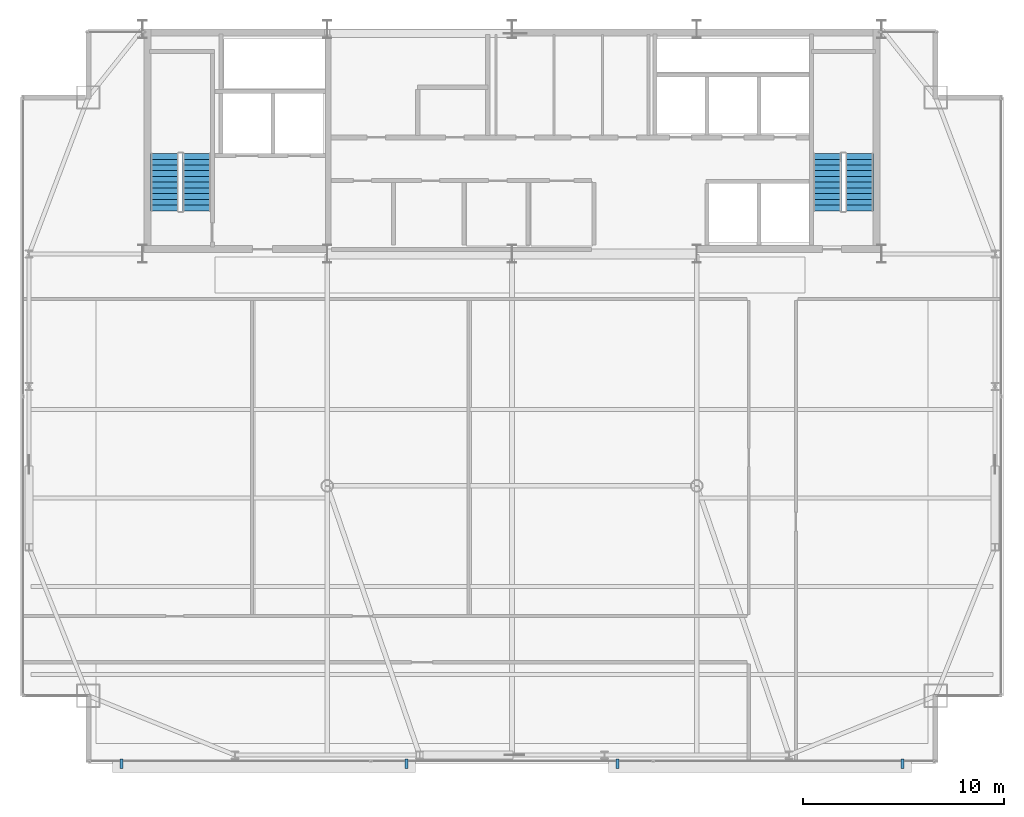
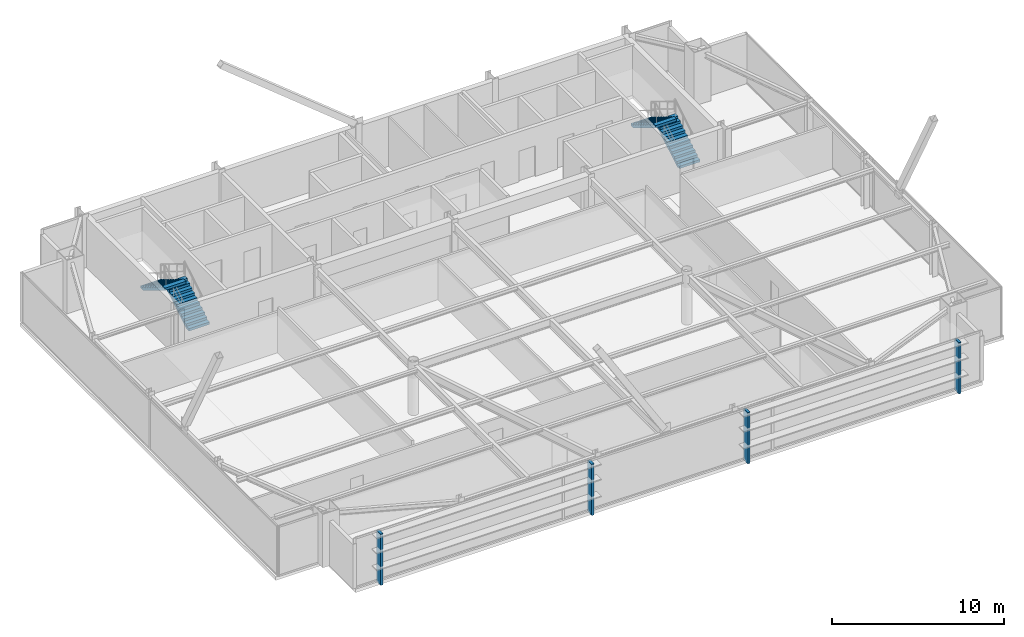
# One storey, part 26 of 27: 4 discrete accessories, 4 stair flights, 2 elements without a shape of their own.
"""IFC4 building model written with IfcOpenShell, lengths in metres."""

from ifc_helpers import new_model, si_unit, direction, frame, origin, origin_2d, place, context, subcontext, project, spatial, polyline, rectangle, outline, extrude, source, transform, mapped, material, layer, layer_set, type_object, type_shapes, element, aggregate, save


model = new_model("IFC4")

# Units and contexts
model_context = context("Model", 3, precision=1e-05, world=origin(), true_north=direction((0.0, 1.0)))
body_context = subcontext(model_context, "Body", "Model", "MODEL_VIEW")
ifc_project = project(units=[si_unit("LENGTHUNIT", "METRE"), si_unit("AREAUNIT", "SQUARE_METRE"), si_unit("VOLUMEUNIT", "CUBIC_METRE"), si_unit("PLANEANGLEUNIT", "RADIAN"), si_unit("MASSUNIT", "GRAM", prefix="KILO")], contexts=[model_context])

# Site, building, storey
site_placement = place(None, origin())
site = spatial("IfcSite", under=ifc_project, at=site_placement, CompositionType="ELEMENT")
building_placement = place(site_placement, origin())
building = spatial("IfcBuilding", under=site, at=building_placement, Name="Varnel Quay Broadcast Tower", CompositionType="ELEMENT")
storey_placement = place(building_placement, frame((0.0, 0.0, 203.60009765625)))
storey = spatial("IfcBuildingStorey", under=building, at=storey_placement, Name="L50", CompositionType="ELEMENT", Elevation=203.60009765625)

# Stair, stair flights
ifc_material_1 = material(Name="Precast Structural Concrete C40/50", Category="concrete")
stair_type_1 = type_object("IfcStairType", Name="Stair_ST-01", PredefinedType="HALF_TURN_STAIR", material=ifc_material_1)
stair_1_placement = place(storey_placement, origin())
stair_1 = element("IfcStair", 1, at=stair_1_placement, inside=storey, type_object=stair_type_1, Name="L50 West Core Exit Stair 1", PredefinedType="HALF_TURN_STAIR")
stair_flight_type_1 = type_object("IfcStairFlightType", Name="Flight_ST-01", PredefinedType="STRAIGHT", material=ifc_material_1)
stair_flight_1_placement = place(storey_placement, frame((18.300048828125, 37.75, 0.0), z_axis=(0.0, 0.0, 1.0), x_axis=(0.0, 1.0, 0.0)))
stair_flight_1 = element("IfcStairFlight", 2, at=stair_flight_1_placement, type_object=stair_flight_type_1, Name="ST-01 flight 1", NumberOfRisers=11, NumberOfTreads=10, PredefinedType="STRAIGHT", RiserHeight=0.172727273, TreadLength=0.285, context=body_context, shape_type="SweptSolid", body=[
    extrude(outline(polyline([(0.0, 0.0), (0.0, 0.172607421875), (0.284912109375, 0.172607421875), (0.284912109375, 0.345458984375), (0.570068359375, 0.345458984375), (0.570068359375, 0.51806640625), (0.85498046875, 0.51806640625), (0.85498046875, 0.69091796875), (1.139892578125, 0.69091796875), (1.139892578125, 0.863525390625), (1.425048828125, 0.863525390625), (1.425048828125, 1.036376953125), (1.7099609375, 1.036376953125), (1.7099609375, 1.208984375), (1.9951171875, 1.208984375), (1.9951171875, 1.3818359375), (2.280029296875, 1.3818359375), (2.280029296875, 1.554443359375), (2.56494140625, 1.554443359375), (2.56494140625, 1.727294921875), (2.85009765625, 1.727294921875), (2.85009765625, 1.89990234375), (2.85009765625, 1.552001953125), (0.289306640625, 0.0), (0.0, 0.0)])), frame((0.0, 0.699951171875, 0.0), z_axis=(0.0, -1.0, 0.0), x_axis=(1.0, 0.0, 0.0)), (0.0, 0.0, 1.0), 1.39990234375),
])
stair_flight_2_placement = place(storey_placement, frame((16.699951171875, 40.60009765625, 1.89990234375), z_axis=(0.0, 0.0, 1.0), x_axis=(0.0, -1.0, 0.0)))
stair_flight_2 = element("IfcStairFlight", 3, at=stair_flight_2_placement, type_object=stair_flight_type_1, Name="ST-01 flight 2", NumberOfRisers=11, NumberOfTreads=10, PredefinedType="STRAIGHT", RiserHeight=0.172727273, TreadLength=0.285, context=body_context, shape_type="SweptSolid", body=[
    extrude(outline(polyline([(0.0, 0.0), (0.0, 0.172607421875), (0.284912109375, 0.172607421875), (0.284912109375, 0.345458984375), (0.570068359375, 0.345458984375), (0.570068359375, 0.51806640625), (0.85498046875, 0.51806640625), (0.85498046875, 0.69091796875), (1.139892578125, 0.69091796875), (1.139892578125, 0.863525390625), (1.425048828125, 0.863525390625), (1.425048828125, 1.036376953125), (1.7099609375, 1.036376953125), (1.7099609375, 1.208984375), (1.9951171875, 1.208984375), (1.9951171875, 1.3818359375), (2.280029296875, 1.3818359375), (2.280029296875, 1.554443359375), (2.56494140625, 1.554443359375), (2.56494140625, 1.727294921875), (2.85009765625, 1.727294921875), (2.85009765625, 1.89990234375), (2.85009765625, 1.552001953125), (0.289306640625, 0.0), (0.0, 0.0)])), frame((0.0, 0.699951171875, 0.0), z_axis=(0.0, -1.0, 0.0), x_axis=(1.0, 0.0, 0.0)), (0.0, 0.0, 1.0), 1.39990234375),
])
aggregate(stair_1, [stair_flight_1, stair_flight_2])

stair_type_2 = type_object("IfcStairType", Name="Stair_ST-02", PredefinedType="HALF_TURN_STAIR", material=ifc_material_1)
stair_2_placement = place(storey_placement, origin())
stair_2 = element("IfcStair", 4, at=stair_2_placement, inside=storey, type_object=stair_type_2, Name="L50 East Core Exit Stair 2", PredefinedType="HALF_TURN_STAIR")
stair_flight_type_2 = type_object("IfcStairFlightType", Name="Flight_ST-02", PredefinedType="STRAIGHT", material=ifc_material_1)
stair_flight_3_placement = place(storey_placement, frame((51.300048828125, 37.75, 0.0), z_axis=(0.0, 0.0, 1.0), x_axis=(0.0, 1.0, 0.0)))
stair_flight_3 = element("IfcStairFlight", 5, at=stair_flight_3_placement, type_object=stair_flight_type_2, Name="ST-02 flight 1", NumberOfRisers=11, NumberOfTreads=10, PredefinedType="STRAIGHT", RiserHeight=0.172727273, TreadLength=0.285, context=body_context, shape_type="SweptSolid", body=[
    extrude(outline(polyline([(0.0, 0.0), (0.0, 0.172607421875), (0.284912109375, 0.172607421875), (0.284912109375, 0.345458984375), (0.570068359375, 0.345458984375), (0.570068359375, 0.51806640625), (0.85498046875, 0.51806640625), (0.85498046875, 0.69091796875), (1.139892578125, 0.69091796875), (1.139892578125, 0.863525390625), (1.425048828125, 0.863525390625), (1.425048828125, 1.036376953125), (1.7099609375, 1.036376953125), (1.7099609375, 1.208984375), (1.9951171875, 1.208984375), (1.9951171875, 1.3818359375), (2.280029296875, 1.3818359375), (2.280029296875, 1.554443359375), (2.56494140625, 1.554443359375), (2.56494140625, 1.727294921875), (2.85009765625, 1.727294921875), (2.85009765625, 1.89990234375), (2.85009765625, 1.552001953125), (0.289306640625, 0.0), (0.0, 0.0)])), frame((0.0, 0.699951171875, 0.0), z_axis=(0.0, -1.0, 0.0), x_axis=(1.0, 0.0, 0.0)), (0.0, 0.0, 1.0), 1.39990234375),
])
stair_flight_4_placement = place(storey_placement, frame((49.699951171875, 40.60009765625, 1.89990234375), z_axis=(0.0, 0.0, 1.0), x_axis=(0.0, -1.0, 0.0)))
stair_flight_4 = element("IfcStairFlight", 6, at=stair_flight_4_placement, type_object=stair_flight_type_2, Name="ST-02 flight 2", NumberOfRisers=11, NumberOfTreads=10, PredefinedType="STRAIGHT", RiserHeight=0.172727273, TreadLength=0.285, context=body_context, shape_type="SweptSolid", body=[
    extrude(outline(polyline([(0.0, 0.0), (0.0, 0.172607421875), (0.284912109375, 0.172607421875), (0.284912109375, 0.345458984375), (0.570068359375, 0.345458984375), (0.570068359375, 0.51806640625), (0.85498046875, 0.51806640625), (0.85498046875, 0.69091796875), (1.139892578125, 0.69091796875), (1.139892578125, 0.863525390625), (1.425048828125, 0.863525390625), (1.425048828125, 1.036376953125), (1.7099609375, 1.036376953125), (1.7099609375, 1.208984375), (1.9951171875, 1.208984375), (1.9951171875, 1.3818359375), (2.280029296875, 1.3818359375), (2.280029296875, 1.554443359375), (2.56494140625, 1.554443359375), (2.56494140625, 1.727294921875), (2.85009765625, 1.727294921875), (2.85009765625, 1.89990234375), (2.85009765625, 1.552001953125), (0.289306640625, 0.0), (0.0, 0.0)])), frame((0.0, 0.699951171875, 0.0), z_axis=(0.0, -1.0, 0.0), x_axis=(1.0, 0.0, 0.0)), (0.0, 0.0, 1.0), 1.39990234375),
])
aggregate(stair_2, [stair_flight_3, stair_flight_4])

# Discrete accessories
ifc_material_2 = material(Name="Anodised Bronze Aluminium 6063-T6", Category="aluminium")
ifc_layer = layer(ifc_material_2, 0.47998046875, Name="Anodised Bronze Aluminium 6063-T6")
ifc_layer_set = layer_set([ifc_layer], Name="Anodised Bronze Aluminium 6063-T6")
discrete_accessory_type = type_object("IfcDiscreteAccessoryType", Name="Acc_FacadeBracket", PredefinedType="BRACKET", material=ifc_layer_set)
shared_shape = source(origin(), body_context, "Body", "SweptSolid", [
    extrude(rectangle(XDim=0.159912109375, YDim=0.47998046875, at=origin_2d()), origin(), (0.0, 0.0, 1.0), 3.64990234375),
])
type_shapes(discrete_accessory_type, [shared_shape])
for number, where, z_axis, x_axis, name in (
    (7, (14.550048828125, 10.219970703125, -0.150146484375), (0.0, 0.0, 1.0), (1.0, 0.0, 0.0), "L50 Lobe 1 Louvre Support Bracket 1"),
    (8, (28.75, 10.219970703125, -0.150146484375), (0.0, 0.0, 1.0), (1.0, 0.0, 0.0), "L50 Lobe 1 Louvre Support Bracket 2"),
    (9, (39.25, 10.219970703125, -0.150146484375), (0.0, 0.0, 1.0), (1.0, 0.0, 0.0), "L50 Lobe 2 Louvre Support Bracket 1"),
    (10, (53.449951171875, 10.219970703125, -0.150146484375), (0.0, 0.0, 1.0), (1.0, 0.0, 0.0), "L50 Lobe 2 Louvre Support Bracket 2"),
):
    element("IfcDiscreteAccessory", number, at=place(storey_placement, frame(where, z_axis=z_axis, x_axis=x_axis)), inside=storey, type_object=discrete_accessory_type, Name=name, PredefinedType="BRACKET", context=body_context, shape_type="MappedRepresentation", body=[
        mapped(shared_shape, transform((0.0, 0.0, 0.0), x_axis=(1.0, 0.0, 0.0), y_axis=(0.0, 1.0, 0.0), z_axis=(0.0, 0.0, 1.0), scale=1.0)),
    ])

save(model, "model.ifc")
